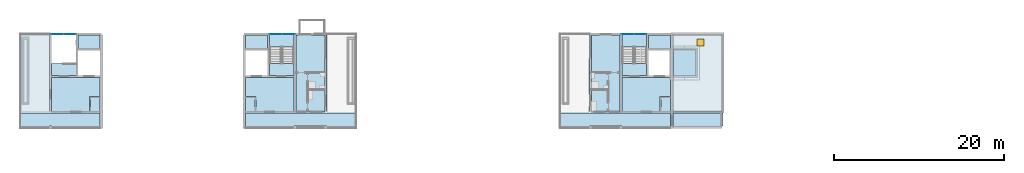
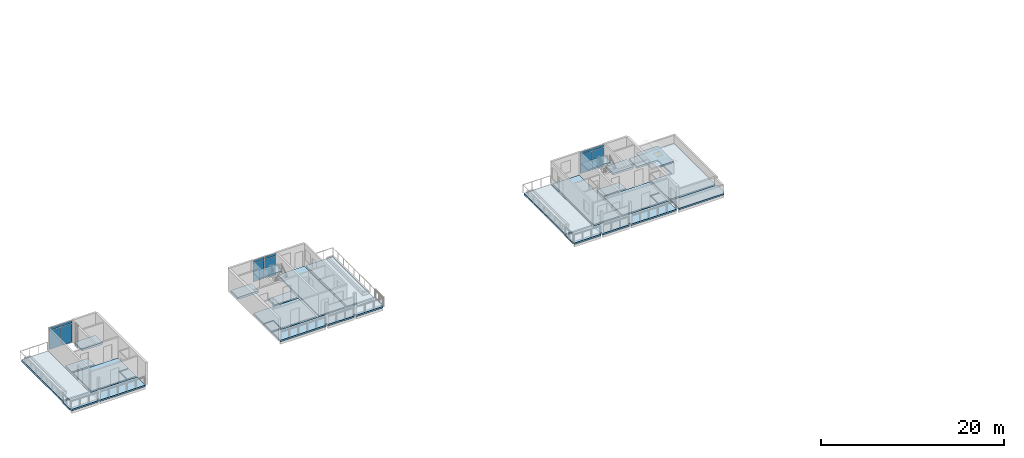
# One storey, part 19 of 33: 25 slabs, 12 plates, 1 door, 1 opening, 5 elements without a shape of their own.
"""IFC4 building model written with IfcOpenShell, lengths in metres."""

from ifc_helpers import new_model, si_unit, direction, frame, origin, origin_2d, place, context, subcontext, project, spatial, polyline, rectangle, outline, extrude, material, layer, layer_set, type_object, element, fill, aggregate, save


model = new_model("IFC4")

# Units and contexts
model_context = context("Model", 3, precision=1e-05, world=origin(), true_north=direction((0.0, 1.0)))
body_context = subcontext(model_context, "Body", "Model", "MODEL_VIEW")
ifc_project = project(units=[si_unit("LENGTHUNIT", "METRE"), si_unit("AREAUNIT", "SQUARE_METRE"), si_unit("VOLUMEUNIT", "CUBIC_METRE"), si_unit("PLANEANGLEUNIT", "RADIAN"), si_unit("MASSUNIT", "GRAM", prefix="KILO")], contexts=[model_context])

# Site, building, storey
site_placement = place(None, origin())
site = spatial("IfcSite", under=ifc_project, at=site_placement, CompositionType="ELEMENT")
building_placement = place(site_placement, origin())
building = spatial("IfcBuilding", under=site, at=building_placement, Name="Ridgestep Commons", CompositionType="ELEMENT")
storey_placement = place(building_placement, frame((0.0, 0.0, 42.0)))
storey = spatial("IfcBuildingStorey", under=building, at=storey_placement, Name="L14", CompositionType="ELEMENT", Elevation=42.0)

# Slabs
ifc_material_1 = material(Name="Precast concrete C40/50", Category="concrete")
ifc_layer_1 = layer(ifc_material_1, 0.199951171875)
ifc_layer_set_1 = layer_set([ifc_layer_1], Name="Gallery roof slab 200")
slab_type_1 = type_object("IfcSlabType", Name="Gallery roof slab 200", PredefinedType="ROOF", material=ifc_layer_set_1)
slab_1_placement = place(storey_placement, frame((0.0, 0.0, -0.199951171875)))
element("IfcSlab", 1, at=slab_1_placement, inside=storey, type_object=slab_type_1, Name="Gallery slab A6 L14", PredefinedType="ROOF", context=body_context, shape_type="SweptSolid", body=[
    extrude(outline(polyline([(96.14990234375, 11.75), (101.875, 11.75), (101.875, 12.0), (102.0, 12.0), (102.0, 13.550048828125), (96.14990234375, 13.550048828125), (96.14990234375, 11.75)])), origin(), (0.0, 0.0, 1.0), 0.199951171875),
])
ifc_material_2 = material(Name="Precast concrete C40/50", Category="concrete")
ifc_layer_2 = layer(ifc_material_2, 0.199951171875)
ifc_layer_set_2 = layer_set([ifc_layer_2], Name="Gallery slab 200")
slab_type_2 = type_object("IfcSlabType", Name="Gallery slab 200", PredefinedType="FLOOR", material=ifc_layer_set_2)
slab_2_placement = place(storey_placement, frame((0.0, 0.0, -0.199951171875)))
element("IfcSlab", 2, at=slab_2_placement, inside=storey, type_object=slab_type_2, Name="Gallery slab A1 L14", PredefinedType="FLOOR", context=body_context, shape_type="SweptSolid", body=[
    extrude(outline(polyline([(28.64990234375, 13.550048828125), (19.199951171875, 13.550048828125), (19.199951171875, 12.0), (19.324951171875, 12.0), (19.324951171875, 11.75), (22.675048828125, 11.75), (22.675048828125, 12.0), (22.925048828125, 12.0), (22.925048828125, 11.75), (28.64990234375, 11.75), (28.64990234375, 13.550048828125)])), origin(), (0.0, 0.0, 1.0), 0.199951171875),
])
slab_3_placement = place(storey_placement, frame((0.0, 0.0, -0.199951171875)))
element("IfcSlab", 3, at=slab_3_placement, inside=storey, type_object=slab_type_2, Name="Gallery slab A3 L14", PredefinedType="FLOOR", context=body_context, shape_type="SweptSolid", body=[
    extrude(outline(polyline([(58.800048828125, 13.550048828125), (45.75, 13.550048828125), (45.75, 11.75), (51.47509765625, 11.75), (51.47509765625, 12.0), (51.72509765625, 12.0), (51.72509765625, 11.75), (55.074951171875, 11.75), (55.074951171875, 12.0), (55.324951171875, 12.0), (55.324951171875, 11.75), (58.675048828125, 11.75), (58.675048828125, 12.0), (58.800048828125, 12.0), (58.800048828125, 13.550048828125)])), origin(), (0.0, 0.0, 1.0), 0.199951171875),
])
slab_4_placement = place(storey_placement, frame((0.0, 0.0, -0.199951171875)))
element("IfcSlab", 4, at=slab_4_placement, inside=storey, type_object=slab_type_2, Name="Gallery slab A5 L14", PredefinedType="FLOOR", context=body_context, shape_type="SweptSolid", body=[
    extrude(outline(polyline([(95.85009765625, 11.75), (95.85009765625, 13.550048828125), (82.800048828125, 13.550048828125), (82.800048828125, 12.0), (82.925048828125, 12.0), (82.925048828125, 11.75), (86.27490234375, 11.75), (86.27490234375, 12.0), (86.52490234375, 12.0), (86.52490234375, 11.75), (89.875, 11.75), (89.875, 12.0), (90.125, 12.0), (90.125, 11.75), (95.85009765625, 11.75)])), origin(), (0.0, 0.0, 1.0), 0.199951171875),
])

# Curtain wall, plates
ifc_material_3 = material(Name="Aluminium 6063-T6 and glass", Category="aluminium")
curtain_wall_type = type_object("IfcCurtainWallType", Name="Curtain wall stair strip", PredefinedType="NOTDEFINED", material=ifc_material_3)
curtain_wall_1_placement = place(storey_placement, origin())
curtain_wall_1 = element("IfcCurtainWall", 5, at=curtain_wall_1_placement, inside=storey, type_object=curtain_wall_type, Name="Curtain wall A1C level 14", PredefinedType="NOTDEFINED")
ifc_material_4 = material(Name="Glass laminated 6/16/6 low-emissivity", Category="glass")
ifc_layer_3 = layer(ifc_material_4, 0.028076171875)
ifc_layer_set_3 = layer_set([ifc_layer_3], Name="Glazing panel 28")
plate_type_1 = type_object("IfcPlateType", Name="Glazing panel 28", PredefinedType="CURTAIN_PANEL", material=ifc_layer_set_3)
plate_1_placement = place(storey_placement, frame((23.5712890625, 22.830078125, 0.06005859375), z_axis=(0.0, 0.0, 1.0), x_axis=(1.0, 0.0, 0.0)))
plate_1 = element("IfcPlate", 6, at=plate_1_placement, type_object=plate_type_1, Name="CW1 panel 1.1", PredefinedType="CURTAIN_PANEL", context=body_context, shape_type="SweptSolid", body=[
    extrude(rectangle(XDim=1.422607421875, YDim=0.028076171875, at=origin_2d()), origin(), (0.0, 0.0, 1.0), 2.5),
])
plate_2_placement = place(storey_placement, frame((25.0537109375, 22.830078125, 0.06005859375), z_axis=(0.0, 0.0, 1.0), x_axis=(1.0, 0.0, 0.0)))
plate_2 = element("IfcPlate", 7, at=plate_2_placement, type_object=plate_type_1, Name="CW1 panel 2.1", PredefinedType="CURTAIN_PANEL", context=body_context, shape_type="SweptSolid", body=[
    extrude(rectangle(XDim=1.422607421875, YDim=0.028076171875, at=origin_2d()), origin(), (0.0, 0.0, 1.0), 2.5),
])

curtain_wall_2_placement = place(storey_placement, origin())
curtain_wall_2 = element("IfcCurtainWall", 8, at=curtain_wall_2_placement, inside=storey, type_object=curtain_wall_type, Name="Curtain wall A3C level 14", PredefinedType="NOTDEFINED")
plate_3_placement = place(storey_placement, frame((49.34619140625, 22.830078125, 0.06005859375), z_axis=(0.0, 0.0, 1.0), x_axis=(1.0, 0.0, 0.0)))
plate_3 = element("IfcPlate", 9, at=plate_3_placement, type_object=plate_type_1, Name="CW1 panel 1.1", PredefinedType="CURTAIN_PANEL", context=body_context, shape_type="SweptSolid", body=[
    extrude(rectangle(XDim=1.422607421875, YDim=0.028076171875, at=origin_2d()), origin(), (0.0, 0.0, 1.0), 2.5),
])
plate_4_placement = place(storey_placement, frame((50.828857421875, 22.830078125, 0.06005859375), z_axis=(0.0, 0.0, 1.0), x_axis=(1.0, 0.0, 0.0)))
plate_4 = element("IfcPlate", 10, at=plate_4_placement, type_object=plate_type_1, Name="CW1 panel 2.1", PredefinedType="CURTAIN_PANEL", context=body_context, shape_type="SweptSolid", body=[
    extrude(rectangle(XDim=1.422607421875, YDim=0.028076171875, at=origin_2d()), origin(), (0.0, 0.0, 1.0), 2.5),
])

curtain_wall_3_placement = place(storey_placement, origin())
curtain_wall_3 = element("IfcCurtainWall", 11, at=curtain_wall_3_placement, inside=storey, type_object=curtain_wall_type, Name="Curtain wall A5C level 14", PredefinedType="NOTDEFINED")
plate_5_placement = place(storey_placement, frame((90.771240234375, 22.830078125, 0.06005859375), z_axis=(0.0, 0.0, 1.0), x_axis=(1.0, 0.0, 0.0)))
plate_5 = element("IfcPlate", 12, at=plate_5_placement, type_object=plate_type_1, Name="CW1 panel 1.1", PredefinedType="CURTAIN_PANEL", context=body_context, shape_type="SweptSolid", body=[
    extrude(rectangle(XDim=1.422607421875, YDim=0.028076171875, at=origin_2d()), origin(), (0.0, 0.0, 1.0), 2.5),
])
plate_6_placement = place(storey_placement, frame((92.253662109375, 22.830078125, 0.06005859375), z_axis=(0.0, 0.0, 1.0), x_axis=(1.0, 0.0, 0.0)))
plate_6 = element("IfcPlate", 13, at=plate_6_placement, type_object=plate_type_1, Name="CW1 panel 2.1", PredefinedType="CURTAIN_PANEL", context=body_context, shape_type="SweptSolid", body=[
    extrude(rectangle(XDim=1.422607421875, YDim=0.028076171875, at=origin_2d()), origin(), (0.0, 0.0, 1.0), 2.5),
])

# Slabs
ifc_material_5 = material(Name="Precast concrete C50/60", Category="concrete")
ifc_layer_4 = layer(ifc_material_5, 0.199951171875)
ifc_layer_set_4 = layer_set([ifc_layer_4], Name="Hollow-core plank 200")
slab_type_3 = type_object("IfcSlabType", Name="Hollow-core plank 200", PredefinedType="FLOOR", material=ifc_layer_set_4)
slab_5_placement = place(storey_placement, frame((0.0, 0.0, -0.199951171875)))
element("IfcSlab", 14, at=slab_5_placement, inside=storey, type_object=slab_type_3, Name="Floor plank A3T3 L14", PredefinedType="FLOOR", context=body_context, shape_type="SweptSolid", body=[
    extrude(outline(polyline([(55.10009765625, 13.75), (55.10009765625, 22.75), (51.72509765625, 22.75), (51.72509765625, 13.75), (55.10009765625, 13.75)])), origin(), (0.0, 0.0, 1.0), 0.199951171875),
])
slab_6_placement = place(storey_placement, frame((0.0, 0.0, -0.199951171875)))
element("IfcSlab", 15, at=slab_6_placement, inside=storey, type_object=slab_type_3, Name="Floor plank A5T3 L14", PredefinedType="FLOOR", context=body_context, shape_type="SweptSolid", body=[
    extrude(outline(polyline([(89.875, 13.75), (89.875, 22.75), (86.5, 22.75), (86.5, 13.75), (89.875, 13.75)])), origin(), (0.0, 0.0, 1.0), 0.199951171875),
])
ifc_material_6 = material(Name="Precast concrete C50/60", Category="concrete")
ifc_layer_5 = layer(ifc_material_6, 0.25)
ifc_layer_set_5 = layer_set([ifc_layer_5], Name="Hollow-core plank 250")
slab_type_4 = type_object("IfcSlabType", Name="Hollow-core plank 250", PredefinedType="FLOOR", material=ifc_layer_set_5)
slab_7_placement = place(storey_placement, frame((0.0, 0.0, -0.25)))
element("IfcSlab", 16, at=slab_7_placement, inside=storey, type_object=slab_type_4, Name="Floor plank A1C L14", PredefinedType="FLOOR", context=body_context, shape_type="SweptSolid", body=[
    extrude(outline(polyline([(27.52001953125, 15.469970703125), (28.64990234375, 15.469970703125), (28.64990234375, 17.75), (22.925048828125, 17.75), (22.925048828125, 13.75), (27.39990234375, 13.75), (27.39990234375, 15.469970703125), (27.52001953125, 15.469970703125)])), origin(), (0.0, 0.0, 1.0), 0.25),
])
slab_8_placement = place(storey_placement, frame((0.0, 0.0, -0.25)))
element("IfcSlab", 17, at=slab_8_placement, inside=storey, type_object=slab_type_4, Name="Floor plank A1C L14", PredefinedType="FLOOR", context=body_context, shape_type="SweptSolid", body=[
    extrude(outline(polyline([(28.64990234375, 21.14990234375), (28.64990234375, 22.75), (26.02490234375, 22.75), (26.02490234375, 21.14990234375), (28.64990234375, 21.14990234375)])), origin(), (0.0, 0.0, 1.0), 0.25),
])
slab_9_placement = place(storey_placement, frame((0.0, 0.0, -0.25)))
element("IfcSlab", 18, at=slab_9_placement, inside=storey, type_object=slab_type_4, Name="Floor plank A1C L14", PredefinedType="FLOOR", context=body_context, shape_type="SweptSolid", body=[
    extrude(outline(polyline([(25.824951171875, 17.949951171875), (25.824951171875, 19.35009765625), (22.925048828125, 19.35009765625), (22.925048828125, 17.949951171875), (25.824951171875, 17.949951171875)])), origin(), (0.0, 0.0, 1.0), 0.25),
])
slab_10_placement = place(storey_placement, frame((0.0, 0.0, -0.25)))
element("IfcSlab", 19, at=slab_10_placement, inside=storey, type_object=slab_type_4, Name="Floor plank A1C L14", PredefinedType="FLOOR", context=body_context, shape_type="SweptSolid", body=[
    extrude(outline(polyline([(27.52001953125, 13.75), (28.64990234375, 13.75), (28.64990234375, 15.35009765625), (27.52001953125, 15.35009765625), (27.52001953125, 13.75)])), origin(), (0.0, 0.0, 1.0), 0.25),
])
slab_11_placement = place(storey_placement, frame((0.0, 0.0, -0.25)))
element("IfcSlab", 20, at=slab_11_placement, inside=storey, type_object=slab_type_4, Name="Floor plank A3C L14", PredefinedType="FLOOR", context=body_context, shape_type="SweptSolid", body=[
    extrude(outline(polyline([(47.0, 13.75), (51.47509765625, 13.75), (51.47509765625, 17.75), (45.75, 17.75), (45.75, 15.469970703125), (46.8798828125, 15.469970703125), (47.0, 15.469970703125), (47.0, 13.75)])), origin(), (0.0, 0.0, 1.0), 0.25),
])
slab_12_placement = place(storey_placement, frame((0.0, 0.0, -0.25)))
element("IfcSlab", 21, at=slab_12_placement, inside=storey, type_object=slab_type_4, Name="Floor plank A3C L14", PredefinedType="FLOOR", context=body_context, shape_type="SweptSolid", body=[
    extrude(outline(polyline([(48.375, 22.75), (45.75, 22.75), (45.75, 21.14990234375), (48.375, 21.14990234375), (48.375, 22.75)])), origin(), (0.0, 0.0, 1.0), 0.25),
])
slab_13_placement = place(storey_placement, frame((0.0, 0.0, -0.25)))
element("IfcSlab", 22, at=slab_13_placement, inside=storey, type_object=slab_type_4, Name="Floor plank A3C L14", PredefinedType="FLOOR", context=body_context, shape_type="SweptSolid", body=[
    extrude(outline(polyline([(51.47509765625, 17.949951171875), (51.47509765625, 19.35009765625), (48.574951171875, 19.35009765625), (48.574951171875, 17.949951171875), (51.47509765625, 17.949951171875)])), origin(), (0.0, 0.0, 1.0), 0.25),
])
slab_14_placement = place(storey_placement, frame((0.0, 0.0, -0.25)))
element("IfcSlab", 23, at=slab_14_placement, inside=storey, type_object=slab_type_4, Name="Floor plank A3C L14", PredefinedType="FLOOR", context=body_context, shape_type="SweptSolid", body=[
    extrude(outline(polyline([(46.8798828125, 15.35009765625), (45.75, 15.35009765625), (45.75, 13.75), (46.8798828125, 13.75), (46.8798828125, 15.35009765625)])), origin(), (0.0, 0.0, 1.0), 0.25),
])
slab_15_placement = place(storey_placement, frame((0.0, 0.0, -0.25)))
element("IfcSlab", 24, at=slab_15_placement, inside=storey, type_object=slab_type_4, Name="Floor plank A5C L14", PredefinedType="FLOOR", context=body_context, shape_type="SweptSolid", body=[
    extrude(outline(polyline([(94.719970703125, 15.469970703125), (95.85009765625, 15.469970703125), (95.85009765625, 17.75), (90.125, 17.75), (90.125, 13.75), (94.60009765625, 13.75), (94.60009765625, 15.469970703125), (94.719970703125, 15.469970703125)])), origin(), (0.0, 0.0, 1.0), 0.25),
])
slab_16_placement = place(storey_placement, frame((0.0, 0.0, -0.25)))
element("IfcSlab", 25, at=slab_16_placement, inside=storey, type_object=slab_type_4, Name="Floor plank A5C L14", PredefinedType="FLOOR", context=body_context, shape_type="SweptSolid", body=[
    extrude(outline(polyline([(95.85009765625, 21.14990234375), (95.85009765625, 22.75), (93.22509765625, 22.75), (93.22509765625, 21.14990234375), (95.85009765625, 21.14990234375)])), origin(), (0.0, 0.0, 1.0), 0.25),
])
slab_17_placement = place(storey_placement, frame((0.0, 0.0, -0.25)))
element("IfcSlab", 26, at=slab_17_placement, inside=storey, type_object=slab_type_4, Name="Floor plank A5C L14", PredefinedType="FLOOR", context=body_context, shape_type="SweptSolid", body=[
    extrude(outline(polyline([(93.02490234375, 17.949951171875), (93.02490234375, 19.35009765625), (90.125, 19.35009765625), (90.125, 17.949951171875), (93.02490234375, 17.949951171875)])), origin(), (0.0, 0.0, 1.0), 0.25),
])
slab_18_placement = place(storey_placement, frame((0.0, 0.0, -0.25)))
element("IfcSlab", 27, at=slab_18_placement, inside=storey, type_object=slab_type_4, Name="Floor plank A5C L14", PredefinedType="FLOOR", context=body_context, shape_type="SweptSolid", body=[
    extrude(outline(polyline([(94.719970703125, 13.75), (95.85009765625, 13.75), (95.85009765625, 15.35009765625), (94.719970703125, 15.35009765625), (94.719970703125, 13.75)])), origin(), (0.0, 0.0, 1.0), 0.25),
])
ifc_material_7 = material(Name="Precast concrete C50/60", Category="concrete")
ifc_layer_6 = layer(ifc_material_7, 0.199951171875)
ifc_layer_set_6 = layer_set([ifc_layer_6], Name="Overrun roof 200")
slab_type_5 = type_object("IfcSlabType", Name="Overrun roof 200", PredefinedType="ROOF", material=ifc_layer_set_6)
slab_19_placement = place(storey_placement, frame((0.0, 0.0, 1.5)))
element("IfcSlab", 28, at=slab_19_placement, inside=storey, type_object=slab_type_5, Name="Lift overrun roof A6C", PredefinedType="ROOF", context=body_context, shape_type="SweptSolid", body=[
    extrude(outline(polyline([(98.97509765625, 21.14990234375), (96.14990234375, 21.14990234375), (96.14990234375, 17.75), (98.97509765625, 17.75), (98.97509765625, 21.14990234375)])), origin(), (0.0, 0.0, 1.0), 0.199951171875),
])
ifc_material_8 = material(Name="Precast concrete C50/60", Category="concrete")
ifc_layer_7 = layer(ifc_material_8, 0.25)
ifc_layer_set_7 = layer_set([ifc_layer_7], Name="Roof slab 250")
slab_type_6 = type_object("IfcSlabType", Name="Roof slab 250", PredefinedType="ROOF", material=ifc_layer_set_7)
slab_20_placement = place(storey_placement, frame((0.0, 0.0, -0.25)))
element("IfcSlab", 29, at=slab_20_placement, inside=storey, type_object=slab_type_6, Name="Terrace slab A1T3", PredefinedType="ROOF", context=body_context, shape_type="SweptSolid", body=[
    extrude(outline(polyline([(22.675048828125, 13.75), (22.675048828125, 22.75), (19.300048828125, 22.75), (19.300048828125, 13.75), (22.675048828125, 13.75)])), origin(), (0.0, 0.0, 1.0), 0.25),
])
slab_21_placement = place(storey_placement, frame((0.0, 0.0, -0.25)))
element("IfcSlab", 30, at=slab_21_placement, inside=storey, type_object=slab_type_6, Name="Terrace slab A3T2", PredefinedType="ROOF", context=body_context, shape_type="SweptSolid", body=[
    extrude(outline(polyline([(58.699951171875, 13.75), (58.699951171875, 22.75), (55.300048828125, 22.75), (55.300048828125, 13.75), (58.699951171875, 13.75)])), origin(), (0.0, 0.0, 1.0), 0.25),
])
slab_22_placement = place(storey_placement, frame((0.0, 0.0, -0.25)))
element("IfcSlab", 31, at=slab_22_placement, inside=storey, type_object=slab_type_6, Name="Terrace slab A5T2", PredefinedType="ROOF", context=body_context, shape_type="SweptSolid", body=[
    extrude(outline(polyline([(86.300048828125, 13.75), (86.300048828125, 22.75), (82.89990234375, 22.75), (82.89990234375, 13.75), (86.300048828125, 13.75)])), origin(), (0.0, 0.0, 1.0), 0.25),
])

# Slab, opening, door
slab_23_placement = place(storey_placement, frame((0.0, 0.0, -0.25)))
slab_23 = element("IfcSlab", 32, at=slab_23_placement, inside=storey, type_object=slab_type_6, Name="Roof slab A6C", PredefinedType="ROOF", context=body_context, shape_type="SweptSolid", body=[
    extrude(outline(polyline([(96.14990234375, 22.75), (96.14990234375, 20.949951171875), (98.77490234375, 20.949951171875), (98.77490234375, 17.949951171875), (96.14990234375, 17.949951171875), (96.14990234375, 13.75), (101.875, 13.75), (101.875, 22.75), (96.14990234375, 22.75)])), origin(), (0.0, 0.0, 1.0), 0.25),
])
opening_placement = place(slab_23_placement, frame((99.375, 21.85009765625, 0.0)))
opening = element("IfcOpeningElement", 33, at=opening_placement, cuts=slab_23, Name="Opening A6C/RF/1", PredefinedType="OPENING", context=body_context, shape_type="SweptSolid", body=[
    extrude(rectangle(XDim=0.800048828125, YDim=0.800048828125, at=origin_2d()), origin(), (0.0, 0.0, 1.0), 0.25),
])
ifc_material_9 = material(Name="Steel", Category="steel")
door_type = type_object("IfcDoorType", Name="Ladder roof hatch 800 x 800", OperationType="SINGLE_SWING_LEFT", PredefinedType="TRAPDOOR", material=ifc_material_9)
door_placement = place(opening_placement, frame((0.0, 0.0, 0.199951171875)))
door = element("IfcDoor", 34, at=door_placement, inside=storey, type_object=door_type, Name="Roof hatch A6C", OperationType="SINGLE_SWING_LEFT", OverallHeight=0.800048828125, OverallWidth=0.800048828125, PredefinedType="TRAPDOOR", context=body_context, shape_type="SweptSolid", body=[
    extrude(rectangle(XDim=0.800048828125, YDim=0.800048828125, at=origin_2d()), origin(), (0.0, 0.0, 1.0), 0.050048828125),
])
fill(opening, door)

# Plate
ifc_material_10 = material(Name="Aluminium 6063-T6 and mineral wool", Category="aluminium")
ifc_layer_8 = layer(ifc_material_10, 0.0400390625)
ifc_layer_set_8 = layer_set([ifc_layer_8], Name="Spandrel panel 40")
plate_type_2 = type_object("IfcPlateType", Name="Spandrel panel 40", PredefinedType="CURTAIN_PANEL", material=ifc_layer_set_8)
plate_7_placement = place(storey_placement, frame((23.5712890625, 22.830078125, 2.6201171875), z_axis=(0.0, 0.0, 1.0), x_axis=(1.0, 0.0, 0.0)))
plate_7 = element("IfcPlate", 35, at=plate_7_placement, type_object=plate_type_2, Name="CW1 panel 1.2", PredefinedType="CURTAIN_PANEL", context=body_context, shape_type="SweptSolid", body=[
    extrude(rectangle(XDim=1.422607421875, YDim=0.0400390625, at=origin_2d()), origin(), (0.0, 0.0, 1.0), 0.320068359375),
])

plate_8_placement = place(storey_placement, frame((25.0537109375, 22.830078125, 2.6201171875), z_axis=(0.0, 0.0, 1.0), x_axis=(1.0, 0.0, 0.0)))
plate_8 = element("IfcPlate", 36, at=plate_8_placement, type_object=plate_type_2, Name="CW1 panel 2.2", PredefinedType="CURTAIN_PANEL", context=body_context, shape_type="SweptSolid", body=[
    extrude(rectangle(XDim=1.422607421875, YDim=0.0400390625, at=origin_2d()), origin(), (0.0, 0.0, 1.0), 0.320068359375),
])

aggregate(curtain_wall_1, [plate_1, plate_7, plate_2, plate_8])

plate_9_placement = place(storey_placement, frame((49.34619140625, 22.830078125, 2.6201171875), z_axis=(0.0, 0.0, 1.0), x_axis=(1.0, 0.0, 0.0)))
plate_9 = element("IfcPlate", 37, at=plate_9_placement, type_object=plate_type_2, Name="CW1 panel 1.2", PredefinedType="CURTAIN_PANEL", context=body_context, shape_type="SweptSolid", body=[
    extrude(rectangle(XDim=1.422607421875, YDim=0.0400390625, at=origin_2d()), origin(), (0.0, 0.0, 1.0), 0.320068359375),
])

plate_10_placement = place(storey_placement, frame((50.828857421875, 22.830078125, 2.6201171875), z_axis=(0.0, 0.0, 1.0), x_axis=(1.0, 0.0, 0.0)))
plate_10 = element("IfcPlate", 38, at=plate_10_placement, type_object=plate_type_2, Name="CW1 panel 2.2", PredefinedType="CURTAIN_PANEL", context=body_context, shape_type="SweptSolid", body=[
    extrude(rectangle(XDim=1.422607421875, YDim=0.0400390625, at=origin_2d()), origin(), (0.0, 0.0, 1.0), 0.320068359375),
])

aggregate(curtain_wall_2, [plate_3, plate_9, plate_4, plate_10])

plate_11_placement = place(storey_placement, frame((90.771240234375, 22.830078125, 2.6201171875), z_axis=(0.0, 0.0, 1.0), x_axis=(1.0, 0.0, 0.0)))
plate_11 = element("IfcPlate", 39, at=plate_11_placement, type_object=plate_type_2, Name="CW1 panel 1.2", PredefinedType="CURTAIN_PANEL", context=body_context, shape_type="SweptSolid", body=[
    extrude(rectangle(XDim=1.422607421875, YDim=0.0400390625, at=origin_2d()), origin(), (0.0, 0.0, 1.0), 0.320068359375),
])

plate_12_placement = place(storey_placement, frame((92.253662109375, 22.830078125, 2.6201171875), z_axis=(0.0, 0.0, 1.0), x_axis=(1.0, 0.0, 0.0)))
plate_12 = element("IfcPlate", 40, at=plate_12_placement, type_object=plate_type_2, Name="CW1 panel 2.2", PredefinedType="CURTAIN_PANEL", context=body_context, shape_type="SweptSolid", body=[
    extrude(rectangle(XDim=1.422607421875, YDim=0.0400390625, at=origin_2d()), origin(), (0.0, 0.0, 1.0), 0.320068359375),
])

aggregate(curtain_wall_3, [plate_5, plate_11, plate_6, plate_12])

# Stair, slab
ifc_material_11 = material(Name="Precast concrete C40/50", Category="concrete")
stair_type = type_object("IfcStairType", Name="Escape stair 1400", PredefinedType="HALF_TURN_STAIR", material=ifc_material_11)
stair_1_placement = place(storey_placement, origin())
stair_1 = element("IfcStair", 41, at=stair_1_placement, inside=storey, type_object=stair_type, Name="L14 Escape stair A3C", PredefinedType="HALF_TURN_STAIR")
ifc_material_12 = material(Name="Precast concrete C40/50", Category="concrete")
ifc_layer_9 = layer(ifc_material_12, 0.199951171875)
ifc_layer_set_9 = layer_set([ifc_layer_9], Name="Stair landing 200")
slab_type_7 = type_object("IfcSlabType", Name="Stair landing 200", PredefinedType="LANDING", material=ifc_layer_set_9)
slab_24_placement = place(storey_placement, frame((0.0, 0.0, 1.300048828125)))
slab_24 = element("IfcSlab", 42, at=slab_24_placement, type_object=slab_type_7, Name="A3C landing 1", PredefinedType="LANDING", context=body_context, shape_type="SweptSolid", body=[
    extrude(outline(polyline([(51.47509765625, 21.31005859375), (51.47509765625, 22.75), (48.574951171875, 22.75), (48.574951171875, 21.31005859375), (51.47509765625, 21.31005859375)])), origin(), (0.0, 0.0, 1.0), 0.199951171875),
])
aggregate(stair_1, [slab_24])

stair_2_placement = place(storey_placement, origin())
stair_2 = element("IfcStair", 43, at=stair_2_placement, inside=storey, type_object=stair_type, Name="L14 Escape stair A5C", PredefinedType="HALF_TURN_STAIR")
slab_25_placement = place(storey_placement, frame((0.0, 0.0, 1.300048828125)))
slab_25 = element("IfcSlab", 44, at=slab_25_placement, type_object=slab_type_7, Name="A5C landing 1", PredefinedType="LANDING", context=body_context, shape_type="SweptSolid", body=[
    extrude(outline(polyline([(93.02490234375, 21.31005859375), (93.02490234375, 22.75), (90.125, 22.75), (90.125, 21.31005859375), (93.02490234375, 21.31005859375)])), origin(), (0.0, 0.0, 1.0), 0.199951171875),
])
aggregate(stair_2, [slab_25])

save(model, "model.ifc")
